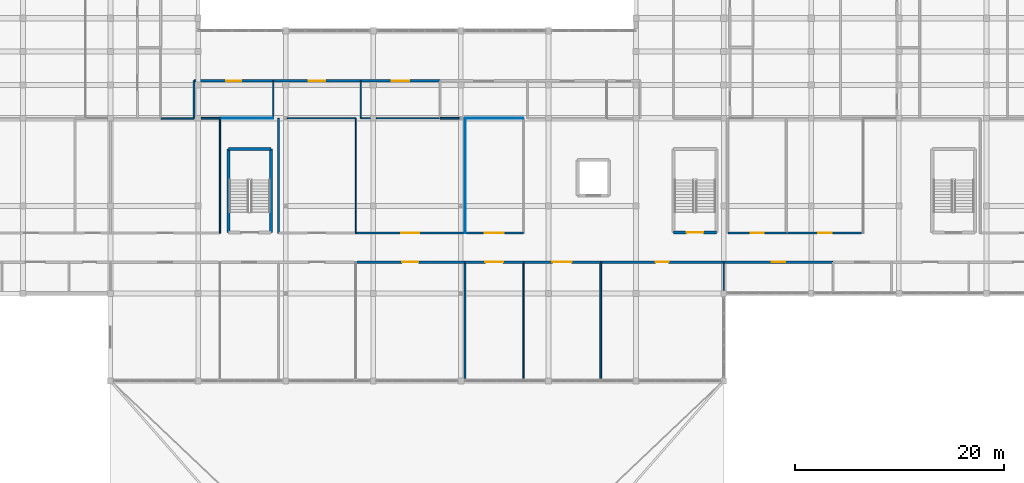
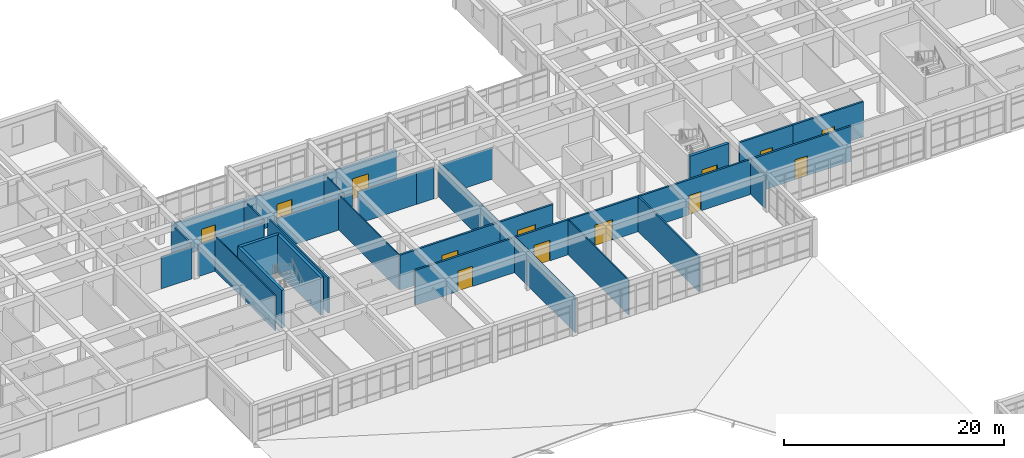
# One storey, part 51 of 77: 35 walls, 13 doors, 13 openings.
"""IFC4 building model written with IfcOpenShell, lengths in metres."""

from ifc_helpers import new_model, si_unit, direction, frame, frame_2d, origin, place, context, subcontext, project, spatial, rectangle, extrude, material, layer, layer_set, type_object, element, fill, save


model = new_model("IFC4")

# Units and contexts
model_context = context("Model", 3, precision=1e-05, world=origin(), true_north=direction((0.0, 1.0)))
body_context = subcontext(model_context, "Body", "Model", "MODEL_VIEW")
ifc_project = project(units=[si_unit("LENGTHUNIT", "METRE"), si_unit("AREAUNIT", "SQUARE_METRE"), si_unit("VOLUMEUNIT", "CUBIC_METRE"), si_unit("PLANEANGLEUNIT", "RADIAN"), si_unit("MASSUNIT", "GRAM", prefix="KILO")], contexts=[model_context])

# Site, building, storey
site_placement = place(None, origin())
site = spatial("IfcSite", under=ifc_project, at=site_placement, CompositionType="ELEMENT")
building_placement = place(site_placement, origin())
building = spatial("IfcBuilding", under=site, at=building_placement, Name="Varncliffe General Hospital", CompositionType="ELEMENT")
storey_placement = place(building_placement, frame((0.0, 0.0, 16.199951171875)))
storey = spatial("IfcBuildingStorey", under=building, at=storey_placement, Name="L03", CompositionType="ELEMENT", Elevation=16.199951171875)

# Walls
ifc_material_1 = material(Name="Acoustic clinical gypsum stud partition assembly", Category="gypsum")
ifc_layer_1 = layer(ifc_material_1, 0.1298828125)
ifc_layer_set_1 = layer_set([ifc_layer_1], Name="Acoustic clinical gypsum stud partition assembly")
wall_type_1 = type_object("IfcWallType", Name="Interior Partitioning IW11 (130mm)", PredefinedType="PARTITIONING", material=ifc_layer_set_1)
wall_1_placement = place(storey_placement, frame((84.2900390625, 99.60009765625, 0.0), z_axis=(0.0, 0.0, 1.0), x_axis=(1.0, 0.0, 0.0)))
element("IfcWall", 1, at=wall_1_placement, inside=storey, type_object=wall_type_1, Name="L03 Interior Partition Wall IW11-1423", PredefinedType="PARTITIONING", context=body_context, shape_type="SweptSolid", body=[
    extrude(rectangle(XDim=6.10986328125, YDim=0.1298828125, at=frame_2d((3.054931640625, 0.0))), origin(), (0.0, 0.0, 1.0), 3.53515625),
])
wall_2_placement = place(storey_placement, frame((82.800048828125, 99.60009765625, 0.0), z_axis=(0.0, 0.0, 1.0), x_axis=(1.0, 0.0, 0.0)))
element("IfcWall", 2, at=wall_2_placement, inside=storey, type_object=wall_type_1, Name="L03 Interior Partition Wall IW11-1424", PredefinedType="PARTITIONING", context=body_context, shape_type="SweptSolid", body=[
    extrude(rectangle(XDim=0.909912109375, YDim=0.1298828125, at=frame_2d((0.455078125, 0.0))), origin(), (0.0, 0.0, 1.0), 3.53515625),
])
for number, where, z_axis, x_axis, name in (
    (3, (74.39990234375, 99.60009765625, 0.0), (0.0, 0.0, 1.0), (0.0, 1.0, 0.0), "L03 Interior Partition Wall IW11-1578"),
    (4, (82.800048828125, 99.60009765625, 0.0), (0.0, 0.0, 1.0), (0.0, 1.0, 0.0), "L03 Interior Partition Wall IW11-1583"),
):
    element("IfcWall", number, at=place(storey_placement, frame(where, z_axis=z_axis, x_axis=x_axis)), inside=storey, type_object=wall_type_1, Name=name, PredefinedType="PARTITIONING", context=body_context, shape_type="SweptSolid", body=[
        extrude(rectangle(XDim=3.599853515625, YDim=0.1298828125, at=frame_2d((1.7998046875, 0.0))), origin(), (0.0, 0.0, 1.0), 3.89013671875),
    ])
wall_3_placement = place(storey_placement, frame((117.60009765625, 83.090087890625, 0.0), z_axis=(0.0, 0.0, 1.0), x_axis=(0.0, 1.0, 0.0)))
element("IfcWall", 5, at=wall_3_placement, inside=storey, type_object=wall_type_1, Name="L03 Interior Partition Wall IW11-1598", PredefinedType="PARTITIONING", context=body_context, shape_type="SweptSolid", body=[
    extrude(rectangle(XDim=2.7099609375, YDim=0.1298828125, at=frame_2d((1.35498046875, 0.0))), origin(), (0.0, 0.0, 1.0), 3.5849609375),
])
ifc_layer_2 = layer(ifc_material_1, 0.169921875)
ifc_layer_set_2 = layer_set([ifc_layer_2], Name="Acoustic clinical gypsum stud partition assembly")
wall_type_2 = type_object("IfcWallType", Name="Interior Partitioning IW20 (170mm)", PredefinedType="PARTITIONING", material=ifc_layer_set_2)
wall_4_placement = place(storey_placement, frame((67.489990234375, 99.60009765625, 0.0), z_axis=(0.0, 0.0, 1.0), x_axis=(1.0, 0.0, 0.0)))
element("IfcWall", 6, at=wall_4_placement, inside=storey, type_object=wall_type_2, Name="L03 Interior Partition Wall IW20-1420", PredefinedType="PARTITIONING", context=body_context, shape_type="SweptSolid", body=[
    extrude(rectangle(XDim=1.81005859375, YDim=0.169921875, at=frame_2d((0.905029296875, 0.0))), origin(), (0.0, 0.0, 1.0), 3.53515625),
])
wall_5_placement = place(storey_placement, frame((90.39990234375, 99.60009765625, 0.0), z_axis=(0.0, 0.0, 1.0), x_axis=(1.0, 0.0, 0.0)))
element("IfcWall", 7, at=wall_5_placement, inside=storey, type_object=wall_type_2, Name="L03 Interior Partition Wall IW20-1425", PredefinedType="PARTITIONING", context=body_context, shape_type="SweptSolid", body=[
    extrude(rectangle(XDim=1.83251953125, YDim=0.169921875, at=frame_2d((0.916259765625, 0.0))), origin(), (0.0, 0.0, 1.0), 3.53515625),
])
wall_6_placement = place(storey_placement, frame((66.800048828125, 99.60009765625, 0.0), z_axis=(0.0, 0.0, 1.0), x_axis=(0.0, 1.0, 0.0)))
element("IfcWall", 8, at=wall_6_placement, inside=storey, type_object=wall_type_2, Name="L03 Interior Partition Wall IW20-1575", PredefinedType="PARTITIONING", context=body_context, shape_type="SweptSolid", body=[
    extrude(rectangle(XDim=3.599853515625, YDim=0.169921875, at=frame_2d((1.7998046875, 0.0))), origin(), (0.0, 0.0, 1.0), 3.89013671875),
])
wall_7_placement = place(storey_placement, frame((74.89990234375, 88.60009765625, 0.0), z_axis=(0.0, 0.0, 1.0), x_axis=(0.0, 1.0, 0.0)))
element("IfcWall", 9, at=wall_7_placement, inside=storey, type_object=wall_type_2, Name="L03 Interior Partition Wall IW20-1580", PredefinedType="PARTITIONING", context=body_context, shape_type="SweptSolid", body=[
    extrude(rectangle(XDim=11.0, YDim=0.169921875, at=frame_2d((5.5, 0.0))), origin(), (0.0, 0.0, 1.0), 3.89013671875),
])
for number, where, z_axis, x_axis, name in (
    (10, (92.800048828125, 74.659912109375, 0.0), (0.0, 0.0, 1.0), (0.0, 1.0, 0.0), "L03 Interior Partition Wall IW20-1585"),
    (11, (105.800048828125, 74.659912109375, 0.0), (0.0, 0.0, 1.0), (0.0, 1.0, 0.0), "L03 Interior Partition Wall IW20-1590"),
):
    element("IfcWall", number, at=place(storey_placement, frame(where, z_axis=z_axis, x_axis=x_axis)), inside=storey, type_object=wall_type_2, Name=name, PredefinedType="PARTITIONING", context=body_context, shape_type="SweptSolid", body=[
        extrude(rectangle(XDim=11.14013671875, YDim=0.169921875, at=frame_2d((5.570068359375, 0.0))), origin(), (0.0, 0.0, 1.0), 3.89013671875),
    ])
ifc_layer_3 = layer(ifc_material_1, 0.14990234375)
ifc_layer_set_3 = layer_set([ifc_layer_3], Name="Acoustic clinical gypsum stud partition assembly")
wall_type_3 = type_object("IfcWallType", Name="Interior Partitioning IW35 (150mm)", PredefinedType="PARTITIONING", material=ifc_layer_set_3)
wall_8_placement = place(storey_placement, frame((63.60009765625, 99.60009765625, 0.0), z_axis=(0.0, 0.0, 1.0), x_axis=(1.0, 0.0, 0.0)))
element("IfcWall", 12, at=wall_8_placement, inside=storey, type_object=wall_type_3, Name="L03 Interior Partition Wall IW35-1419", PredefinedType="PARTITIONING", context=body_context, shape_type="SweptSolid", body=[
    extrude(rectangle(XDim=3.199951171875, YDim=0.14990234375, at=frame_2d((1.60009765625, 0.0))), origin(), (0.0, 0.0, 1.0), 3.53515625),
])
ifc_layer_4 = layer(ifc_material_1, 0.090087890625)
ifc_layer_set_4 = layer_set([ifc_layer_4], Name="Acoustic clinical gypsum stud partition assembly")
wall_type_4 = type_object("IfcWallType", Name="Interior Partitioning IW42 (90mm)", PredefinedType="PARTITIONING", material=ifc_layer_set_4)
wall_9_placement = place(storey_placement, frame((69.300048828125, 99.60009765625, 0.0), z_axis=(0.0, 0.0, 1.0), x_axis=(1.0, 0.0, 0.0)))
element("IfcWall", 13, at=wall_9_placement, inside=storey, type_object=wall_type_4, Name="L03 Interior Partition Wall IW42-1421", PredefinedType="PARTITIONING", context=body_context, shape_type="SweptSolid", body=[
    extrude(rectangle(XDim=5.099853515625, YDim=0.090087890625, at=frame_2d((2.5498046875, 0.0))), origin(), (0.0, 0.0, 1.0), 3.53515625),
])
wall_10_placement = place(storey_placement, frame((92.800048828125, 99.60009765625, 0.0), z_axis=(0.0, 0.0, 1.0), x_axis=(1.0, 0.0, 0.0)))
element("IfcWall", 14, at=wall_10_placement, inside=storey, type_object=wall_type_4, Name="L03 Interior Partition Wall IW42-1426", PredefinedType="PARTITIONING", context=body_context, shape_type="SweptSolid", body=[
    extrude(rectangle(XDim=5.599853515625, YDim=0.090087890625, at=frame_2d((2.7998046875, 0.0))), origin(), (0.0, 0.0, 1.0), 3.53515625),
])
wall_11_placement = place(storey_placement, frame((92.800048828125, 88.60009765625, 0.0), z_axis=(0.0, 0.0, 1.0), x_axis=(0.0, 1.0, 0.0)))
element("IfcWall", 15, at=wall_11_placement, inside=storey, type_object=wall_type_4, Name="L03 Interior Partition Wall IW42-1586", PredefinedType="PARTITIONING", context=body_context, shape_type="SweptSolid", body=[
    extrude(rectangle(XDim=11.0, YDim=0.090087890625, at=frame_2d((5.5, 0.0))), origin(), (0.0, 0.0, 1.0), 3.89013671875),
])
ifc_layer_5 = layer(ifc_material_1, 0.110107421875)
ifc_layer_set_5 = layer_set([ifc_layer_5], Name="Acoustic clinical gypsum stud partition assembly")
wall_type_5 = type_object("IfcWallType", Name="Interior Partitioning IW65 (110mm)", PredefinedType="PARTITIONING", material=ifc_layer_set_5)
wall_12_placement = place(storey_placement, frame((75.767578125, 99.60009765625, 0.0), z_axis=(0.0, 0.0, 1.0), x_axis=(1.0, 0.0, 0.0)))
element("IfcWall", 16, at=wall_12_placement, inside=storey, type_object=wall_type_5, Name="L03 Interior Partition Wall IW65-1422", PredefinedType="PARTITIONING", context=body_context, shape_type="SweptSolid", body=[
    extrude(rectangle(XDim=6.532470703125, YDim=0.110107421875, at=frame_2d((3.26611328125, 0.0))), origin(), (0.0, 0.0, 1.0), 3.53515625),
])
for number, where, z_axis, x_axis, name in (
    (17, (69.300048828125, 88.60009765625, 0.0), (0.0, 0.0, 1.0), (0.0, 1.0, 0.0), "L03 Interior Partition Wall IW65-1577"),
    (18, (82.300048828125, 88.60009765625, 0.0), (0.0, 0.0, 1.0), (0.0, 1.0, 0.0), "L03 Interior Partition Wall IW65-1582"),
):
    element("IfcWall", number, at=place(storey_placement, frame(where, z_axis=z_axis, x_axis=x_axis)), inside=storey, type_object=wall_type_5, Name=name, PredefinedType="PARTITIONING", context=body_context, shape_type="SweptSolid", body=[
        extrude(rectangle(XDim=11.0, YDim=0.110107421875, at=frame_2d((5.5, 0.0))), origin(), (0.0, 0.0, 1.0), 3.89013671875),
    ])
wall_13_placement = place(storey_placement, frame((98.39990234375, 74.659912109375, 0.0), z_axis=(0.0, 0.0, 1.0), x_axis=(0.0, 1.0, 0.0)))
element("IfcWall", 19, at=wall_13_placement, inside=storey, type_object=wall_type_5, Name="L03 Interior Partition Wall IW65-1587", PredefinedType="PARTITIONING", context=body_context, shape_type="SweptSolid", body=[
    extrude(rectangle(XDim=11.14013671875, YDim=0.110107421875, at=frame_2d((5.570068359375, 0.0))), origin(), (0.0, 0.0, 1.0), 3.89013671875),
])

# Wall, opening, door
ifc_material_2 = material(Name="Fire-rated gypsum and mineral-wool partition assembly", Category="gypsum")
ifc_layer_6 = layer(ifc_material_2, 0.199951171875)
ifc_layer_set_6 = layer_set([ifc_layer_6], Name="Fire-rated gypsum and mineral-wool partition assembly")
wall_type_6 = type_object("IfcWallType", Name="Interior Partitioning PW63 (200mm)", PredefinedType="PARTITIONING", material=ifc_layer_set_6)
wall_14_placement = place(storey_placement, frame((82.300048828125, 85.800048828125, 0.0), z_axis=(0.0, 0.0, 1.0), x_axis=(1.0, 0.0, 0.0)))
wall_14 = element("IfcWall", 20, at=wall_14_placement, inside=storey, type_object=wall_type_6, Name="L03 Interior Partition Wall PW63-1371", PredefinedType="PARTITIONING", context=body_context, shape_type="SweptSolid", body=[
    extrude(rectangle(XDim=10.5, YDim=0.199951171875, at=frame_2d((5.25, 0.0))), origin(), (0.0, 0.0, 1.0), 3.89013671875),
])
opening_1_placement = place(wall_14_placement, frame((4.47509765625, 0.0, 0.0)))
opening_1 = element("IfcOpeningElement", 21, at=opening_1_placement, cuts=wall_14, Name="Opening DC67", PredefinedType="OPENING", context=body_context, shape_type="SweptSolid", body=[
    extrude(rectangle(XDim=1.550048828125, YDim=2.25, at=frame_2d((0.77490234375, 1.125))), frame((0.0, 0.10986328125, 0.0), z_axis=(0.0, -1.0, 0.0), x_axis=(1.0, 0.0, 0.0)), (0.0, 0.0, 1.0), 0.219970703125),
])
ifc_material_3 = material(Name="Fire-rated hospital steel-frame vision-panel door", Category="steel")
door_type_1 = type_object("IfcDoorType", Name="Interior Hospital Door DC67 (1550x2250)", OperationType="NOTDEFINED", PredefinedType="DOOR", material=ifc_material_3)
door_1_placement = place(opening_1_placement, frame((1.550048828125, 0.0, 0.0), z_axis=(0.0, 0.0, 1.0), x_axis=(-1.0, 0.0, 0.0)))
door_1 = element("IfcDoor", 22, at=door_1_placement, inside=storey, type_object=door_type_1, Name="L03 Hybrid Interventional Operating Theatre 60 Door", OperationType="SINGLE_SWING_LEFT", OverallHeight=2.25, OverallWidth=1.550048828125, PredefinedType="DOOR", context=body_context, shape_type="SweptSolid", body=[
    extrude(rectangle(XDim=1.550048828125, YDim=2.25, at=frame_2d((0.77490234375, 1.125))), frame((0.0, 0.02490234375, 0.0), z_axis=(0.0, -1.0, 0.0), x_axis=(1.0, 0.0, 0.0)), (0.0, 0.0, 1.0), 0.050048828125),
])
fill(opening_1, door_1)

wall_15_placement = place(storey_placement, frame((92.800048828125, 85.800048828125, 0.0), z_axis=(0.0, 0.0, 1.0), x_axis=(1.0, 0.0, 0.0)))
wall_15 = element("IfcWall", 23, at=wall_15_placement, inside=storey, type_object=wall_type_6, Name="L03 Interior Partition Wall PW63-1372", PredefinedType="PARTITIONING", context=body_context, shape_type="SweptSolid", body=[
    extrude(rectangle(XDim=5.599853515625, YDim=0.199951171875, at=frame_2d((2.7998046875, 0.0))), origin(), (0.0, 0.0, 1.0), 3.89013671875),
])
opening_2_placement = place(wall_15_placement, frame((1.949951171875, 0.0, 0.0)))
opening_2 = element("IfcOpeningElement", 24, at=opening_2_placement, cuts=wall_15, Name="Opening DC50", PredefinedType="OPENING", context=body_context, shape_type="SweptSolid", body=[
    extrude(rectangle(XDim=1.699951171875, YDim=2.300048828125, at=frame_2d((0.85009765625, 1.14990234375))), frame((0.0, 0.10986328125, 0.0), z_axis=(0.0, -1.0, 0.0), x_axis=(1.0, 0.0, 0.0)), (0.0, 0.0, 1.0), 0.219970703125),
])
door_type_2 = type_object("IfcDoorType", Name="Interior Hospital Door DC50 (1700x2300)", OperationType="NOTDEFINED", PredefinedType="DOOR", material=ifc_material_3)
door_2_placement = place(opening_2_placement, frame((1.699951171875, 0.0, 0.0), z_axis=(0.0, 0.0, 1.0), x_axis=(-1.0, 0.0, 0.0)))
door_2 = element("IfcDoor", 25, at=door_2_placement, inside=storey, type_object=door_type_2, Name="L03 Surgical Scrub and Sterile Core Room 61 Door", OperationType="SINGLE_SWING_RIGHT", OverallHeight=2.300048828125, OverallWidth=1.699951171875, PredefinedType="DOOR", context=body_context, shape_type="SweptSolid", body=[
    extrude(rectangle(XDim=1.699951171875, YDim=2.300048828125, at=frame_2d((0.85009765625, 1.14990234375))), frame((0.0, 0.02490234375, 0.0), z_axis=(0.0, -1.0, 0.0), x_axis=(1.0, 0.0, 0.0)), (0.0, 0.0, 1.0), 0.050048828125),
])
fill(opening_2, door_2)

wall_16_placement = place(storey_placement, frame((98.39990234375, 85.800048828125, 0.0), z_axis=(0.0, 0.0, 1.0), x_axis=(1.0, 0.0, 0.0)))
wall_16 = element("IfcWall", 26, at=wall_16_placement, inside=storey, type_object=wall_type_6, Name="L03 Interior Partition Wall PW63-1373", PredefinedType="PARTITIONING", context=body_context, shape_type="SweptSolid", body=[
    extrude(rectangle(XDim=7.400146484375, YDim=0.199951171875, at=frame_2d((3.7001953125, 0.0))), origin(), (0.0, 0.0, 1.0), 3.89013671875),
])
opening_3_placement = place(wall_16_placement, frame((2.77490234375, 0.0, 0.0)))
opening_3 = element("IfcOpeningElement", 27, at=opening_3_placement, cuts=wall_16, Name="Opening DC38", PredefinedType="OPENING", context=body_context, shape_type="SweptSolid", body=[
    extrude(rectangle(XDim=1.85009765625, YDim=2.300048828125, at=frame_2d((0.925048828125, 1.14990234375))), frame((0.0, 0.10986328125, 0.0), z_axis=(0.0, -1.0, 0.0), x_axis=(1.0, 0.0, 0.0)), (0.0, 0.0, 1.0), 0.219970703125),
])
door_type_3 = type_object("IfcDoorType", Name="Interior Hospital Door DC38 (1850x2300)", OperationType="NOTDEFINED", PredefinedType="DOOR", material=ifc_material_3)
door_3_placement = place(opening_3_placement, frame((1.85009765625, 0.0, 0.0), z_axis=(0.0, 0.0, 1.0), x_axis=(-1.0, 0.0, 0.0)))
door_3 = element("IfcDoor", 28, at=door_3_placement, inside=storey, type_object=door_type_3, Name="L03 Endoscopy Procedure Suite 62 Door", OperationType="SINGLE_SWING_LEFT", OverallHeight=2.300048828125, OverallWidth=1.85009765625, PredefinedType="DOOR", context=body_context, shape_type="SweptSolid", body=[
    extrude(rectangle(XDim=1.85009765625, YDim=2.300048828125, at=frame_2d((0.925048828125, 1.14990234375))), frame((0.0, 0.02490234375, 0.0), z_axis=(0.0, -1.0, 0.0), x_axis=(1.0, 0.0, 0.0)), (0.0, 0.0, 1.0), 0.050048828125),
])
fill(opening_3, door_3)

wall_17_placement = place(storey_placement, frame((105.800048828125, 85.800048828125, 0.0), z_axis=(0.0, 0.0, 1.0), x_axis=(1.0, 0.0, 0.0)))
wall_17 = element("IfcWall", 29, at=wall_17_placement, inside=storey, type_object=wall_type_6, Name="L03 Interior Partition Wall PW63-1374", PredefinedType="PARTITIONING", context=body_context, shape_type="SweptSolid", body=[
    extrude(rectangle(XDim=11.800048828125, YDim=0.199951171875, at=frame_2d((5.89990234375, 0.0))), origin(), (0.0, 0.0, 1.0), 3.89013671875),
])
opening_4_placement = place(wall_17_placement, frame((5.27490234375, 0.0, 0.0)))
opening_4 = element("IfcOpeningElement", 30, at=opening_4_placement, cuts=wall_17, Name="Opening DC44", PredefinedType="OPENING", context=body_context, shape_type="SweptSolid", body=[
    extrude(rectangle(XDim=1.25, YDim=2.14990234375, at=frame_2d((0.625, 1.074951171875))), frame((0.0, 0.10986328125, 0.0), z_axis=(0.0, -1.0, 0.0), x_axis=(1.0, 0.0, 0.0)), (0.0, 0.0, 1.0), 0.219970703125),
])
door_type_4 = type_object("IfcDoorType", Name="Interior Hospital Door DC44 (1250x2150)", OperationType="NOTDEFINED", PredefinedType="DOOR", material=ifc_material_3)
door_4_placement = place(opening_4_placement, frame((1.25, 0.0, 0.0), z_axis=(0.0, 0.0, 1.0), x_axis=(-1.0, 0.0, 0.0)))
door_4 = element("IfcDoor", 31, at=door_4_placement, inside=storey, type_object=door_type_4, Name="L03 Hybrid Interventional Operating Theatre 63 Door", OperationType="SINGLE_SWING_RIGHT", OverallHeight=2.14990234375, OverallWidth=1.25, PredefinedType="DOOR", context=body_context, shape_type="SweptSolid", body=[
    extrude(rectangle(XDim=1.25, YDim=2.14990234375, at=frame_2d((0.625, 1.074951171875))), frame((0.0, 0.02490234375, 0.0), z_axis=(0.0, -1.0, 0.0), x_axis=(1.0, 0.0, 0.0)), (0.0, 0.0, 1.0), 0.050048828125),
])
fill(opening_4, door_4)

wall_18_placement = place(storey_placement, frame((117.60009765625, 85.800048828125, 0.0), z_axis=(0.0, 0.0, 1.0), x_axis=(1.0, 0.0, 0.0)))
wall_18 = element("IfcWall", 32, at=wall_18_placement, inside=storey, type_object=wall_type_6, Name="L03 Interior Partition Wall PW63-1375", PredefinedType="PARTITIONING", context=body_context, shape_type="SweptSolid", body=[
    extrude(rectangle(XDim=10.5, YDim=0.199951171875, at=frame_2d((5.25, 0.0))), origin(), (0.0, 0.0, 1.0), 3.89013671875),
])
opening_5_placement = place(wall_18_placement, frame((4.60009765625, 0.0, 0.0)))
opening_5 = element("IfcOpeningElement", 33, at=opening_5_placement, cuts=wall_18, Name="Opening DC88", PredefinedType="OPENING", context=body_context, shape_type="SweptSolid", body=[
    extrude(rectangle(XDim=1.300048828125, YDim=2.199951171875, at=frame_2d((0.64990234375, 1.10009765625))), frame((0.0, 0.10986328125, 0.0), z_axis=(0.0, -1.0, 0.0), x_axis=(1.0, 0.0, 0.0)), (0.0, 0.0, 1.0), 0.219970703125),
])
door_type_5 = type_object("IfcDoorType", Name="Interior Hospital Door DC88 (1300x2200)", OperationType="NOTDEFINED", PredefinedType="DOOR", material=ifc_material_3)
door_5_placement = place(opening_5_placement, frame((1.300048828125, 0.0, 0.0), z_axis=(0.0, 0.0, 1.0), x_axis=(-1.0, 0.0, 0.0)))
door_5 = element("IfcDoor", 34, at=door_5_placement, inside=storey, type_object=door_type_5, Name="L03 Hybrid Interventional Operating Theatre 64 Door", OperationType="SINGLE_SWING_LEFT", OverallHeight=2.199951171875, OverallWidth=1.300048828125, PredefinedType="DOOR", context=body_context, shape_type="SweptSolid", body=[
    extrude(rectangle(XDim=1.300048828125, YDim=2.199951171875, at=frame_2d((0.64990234375, 1.10009765625))), frame((0.0, 0.02490234375, 0.0), z_axis=(0.0, -1.0, 0.0), x_axis=(1.0, 0.0, 0.0)), (0.0, 0.0, 1.0), 0.050048828125),
])
fill(opening_5, door_5)

wall_19_placement = place(storey_placement, frame((82.300048828125, 88.60009765625, 0.0), z_axis=(0.0, 0.0, 1.0), x_axis=(1.0, 0.0, 0.0)))
wall_19 = element("IfcWall", 35, at=wall_19_placement, inside=storey, type_object=wall_type_6, Name="L03 Interior Partition Wall PW63-1388", PredefinedType="PARTITIONING", context=body_context, shape_type="SweptSolid", body=[
    extrude(rectangle(XDim=10.5, YDim=0.199951171875, at=frame_2d((5.25, 0.0))), origin(), (0.0, 0.0, 1.0), 3.89013671875),
])
opening_6_placement = place(wall_19_placement, frame((4.39990234375, 0.0, 0.0)))
opening_6 = element("IfcOpeningElement", 36, at=opening_6_placement, cuts=wall_19, Name="Opening DC50", PredefinedType="OPENING", context=body_context, shape_type="SweptSolid", body=[
    extrude(rectangle(XDim=1.699951171875, YDim=2.300048828125, at=frame_2d((0.85009765625, 1.14990234375))), frame((0.0, 0.10986328125, 0.0), z_axis=(0.0, -1.0, 0.0), x_axis=(1.0, 0.0, 0.0)), (0.0, 0.0, 1.0), 0.219970703125),
])
door_6_placement = place(opening_6_placement, origin())
door_6 = element("IfcDoor", 37, at=door_6_placement, inside=storey, type_object=door_type_2, Name="L03 Hybrid Interventional Operating Theatre 70 Door", OperationType="SINGLE_SWING_RIGHT", OverallHeight=2.300048828125, OverallWidth=1.699951171875, PredefinedType="DOOR", context=body_context, shape_type="SweptSolid", body=[
    extrude(rectangle(XDim=1.699951171875, YDim=2.300048828125, at=frame_2d((0.85009765625, 1.14990234375))), frame((0.0, 0.02490234375, 0.0), z_axis=(0.0, -1.0, 0.0), x_axis=(1.0, 0.0, 0.0)), (0.0, 0.0, 1.0), 0.050048828125),
])
fill(opening_6, door_6)

wall_20_placement = place(storey_placement, frame((92.800048828125, 88.60009765625, 0.0), z_axis=(0.0, 0.0, 1.0), x_axis=(1.0, 0.0, 0.0)))
wall_20 = element("IfcWall", 38, at=wall_20_placement, inside=storey, type_object=wall_type_6, Name="L03 Interior Partition Wall PW63-1389", PredefinedType="PARTITIONING", context=body_context, shape_type="SweptSolid", body=[
    extrude(rectangle(XDim=5.599853515625, YDim=0.199951171875, at=frame_2d((2.7998046875, 0.0))), origin(), (0.0, 0.0, 1.0), 3.89013671875),
])
opening_7_placement = place(wall_20_placement, frame((1.875, 0.0, 0.0)))
opening_7 = element("IfcOpeningElement", 39, at=opening_7_placement, cuts=wall_20, Name="Opening DC38", PredefinedType="OPENING", context=body_context, shape_type="SweptSolid", body=[
    extrude(rectangle(XDim=1.85009765625, YDim=2.300048828125, at=frame_2d((0.925048828125, 1.14990234375))), frame((0.0, 0.10986328125, 0.0), z_axis=(0.0, -1.0, 0.0), x_axis=(1.0, 0.0, 0.0)), (0.0, 0.0, 1.0), 0.219970703125),
])
door_7_placement = place(opening_7_placement, origin())
door_7 = element("IfcDoor", 40, at=door_7_placement, inside=storey, type_object=door_type_3, Name="L03 Surgical Scrub and Sterile Core Room 71 Door", OperationType="SINGLE_SWING_LEFT", OverallHeight=2.300048828125, OverallWidth=1.85009765625, PredefinedType="DOOR", context=body_context, shape_type="SweptSolid", body=[
    extrude(rectangle(XDim=1.85009765625, YDim=2.300048828125, at=frame_2d((0.925048828125, 1.14990234375))), frame((0.0, 0.02490234375, 0.0), z_axis=(0.0, -1.0, 0.0), x_axis=(1.0, 0.0, 0.0)), (0.0, 0.0, 1.0), 0.050048828125),
])
fill(opening_7, door_7)

wall_21_placement = place(storey_placement, frame((118.0, 88.60009765625, 0.0), z_axis=(0.0, 0.0, 1.0), x_axis=(1.0, 0.0, 0.0)))
wall_21 = element("IfcWall", 41, at=wall_21_placement, inside=storey, type_object=wall_type_6, Name="L03 Interior Partition Wall PW63-1390", PredefinedType="PARTITIONING", context=body_context, shape_type="SweptSolid", body=[
    extrude(rectangle(XDim=5.60009765625, YDim=0.199951171875, at=frame_2d((2.800048828125, 0.0))), origin(), (0.0, 0.0, 1.0), 3.89013671875),
])
opening_8_placement = place(wall_21_placement, frame((2.175048828125, 0.0, 0.0)))
opening_8 = element("IfcOpeningElement", 42, at=opening_8_placement, cuts=wall_21, Name="Opening DC44", PredefinedType="OPENING", context=body_context, shape_type="SweptSolid", body=[
    extrude(rectangle(XDim=1.25, YDim=2.14990234375, at=frame_2d((0.625, 1.074951171875))), frame((0.0, 0.10986328125, 0.0), z_axis=(0.0, -1.0, 0.0), x_axis=(1.0, 0.0, 0.0)), (0.0, 0.0, 1.0), 0.219970703125),
])
door_8_placement = place(opening_8_placement, origin())
door_8 = element("IfcDoor", 43, at=door_8_placement, inside=storey, type_object=door_type_4, Name="L03 Surgical Scrub and Sterile Core Room 72 Door", OperationType="SINGLE_SWING_RIGHT", OverallHeight=2.14990234375, OverallWidth=1.25, PredefinedType="DOOR", context=body_context, shape_type="SweptSolid", body=[
    extrude(rectangle(XDim=1.25, YDim=2.14990234375, at=frame_2d((0.625, 1.074951171875))), frame((0.0, 0.02490234375, 0.0), z_axis=(0.0, -1.0, 0.0), x_axis=(1.0, 0.0, 0.0)), (0.0, 0.0, 1.0), 0.050048828125),
])
fill(opening_8, door_8)

wall_22_placement = place(storey_placement, frame((123.60009765625, 88.60009765625, 0.0), z_axis=(0.0, 0.0, 1.0), x_axis=(1.0, 0.0, 0.0)))
wall_22 = element("IfcWall", 44, at=wall_22_placement, inside=storey, type_object=wall_type_6, Name="L03 Interior Partition Wall PW63-1391", PredefinedType="PARTITIONING", context=body_context, shape_type="SweptSolid", body=[
    extrude(rectangle(XDim=7.39990234375, YDim=0.199951171875, at=frame_2d((3.699951171875, 0.0))), origin(), (0.0, 0.0, 1.0), 3.89013671875),
])
opening_9_placement = place(wall_22_placement, frame((3.050048828125, 0.0, 0.0)))
opening_9 = element("IfcOpeningElement", 45, at=opening_9_placement, cuts=wall_22, Name="Opening DC88", PredefinedType="OPENING", context=body_context, shape_type="SweptSolid", body=[
    extrude(rectangle(XDim=1.300048828125, YDim=2.199951171875, at=frame_2d((0.64990234375, 1.10009765625))), frame((0.0, 0.10986328125, 0.0), z_axis=(0.0, -1.0, 0.0), x_axis=(1.0, 0.0, 0.0)), (0.0, 0.0, 1.0), 0.219970703125),
])
door_9_placement = place(opening_9_placement, origin())
door_9 = element("IfcDoor", 46, at=door_9_placement, inside=storey, type_object=door_type_5, Name="L03 Endoscopy Procedure Suite 73 Door", OperationType="SINGLE_SWING_LEFT", OverallHeight=2.199951171875, OverallWidth=1.300048828125, PredefinedType="DOOR", context=body_context, shape_type="SweptSolid", body=[
    extrude(rectangle(XDim=1.300048828125, YDim=2.199951171875, at=frame_2d((0.64990234375, 1.10009765625))), frame((0.0, 0.02490234375, 0.0), z_axis=(0.0, -1.0, 0.0), x_axis=(1.0, 0.0, 0.0)), (0.0, 0.0, 1.0), 0.050048828125),
])
fill(opening_9, door_9)

wall_23_placement = place(storey_placement, frame((66.800048828125, 103.199951171875, 0.0), z_axis=(0.0, 0.0, 1.0), x_axis=(1.0, 0.0, 0.0)))
wall_23 = element("IfcWall", 47, at=wall_23_placement, inside=storey, type_object=wall_type_6, Name="L03 Interior Partition Wall PW63-1446", PredefinedType="PARTITIONING", context=body_context, shape_type="SweptSolid", body=[
    extrude(rectangle(XDim=7.599853515625, YDim=0.199951171875, at=frame_2d((3.7998046875, 0.0))), origin(), (0.0, 0.0, 1.0), 3.89013671875),
])
opening_10_placement = place(wall_23_placement, frame((3.074951171875, 0.0, 0.0)))
opening_10 = element("IfcOpeningElement", 48, at=opening_10_placement, cuts=wall_23, Name="Opening DC66", PredefinedType="OPENING", context=body_context, shape_type="SweptSolid", body=[
    extrude(rectangle(XDim=1.449951171875, YDim=2.25, at=frame_2d((0.72509765625, 1.125))), frame((0.0, 0.10986328125, 0.0), z_axis=(0.0, -1.0, 0.0), x_axis=(1.0, 0.0, 0.0)), (0.0, 0.0, 1.0), 0.219970703125),
])
door_type_6 = type_object("IfcDoorType", Name="Interior Hospital Door DC66 (1450x2250)", OperationType="NOTDEFINED", PredefinedType="DOOR", material=ifc_material_3)
door_10_placement = place(opening_10_placement, frame((1.449951171875, 0.0, 0.0), z_axis=(0.0, 0.0, 1.0), x_axis=(-1.0, 0.0, 0.0)))
door_10 = element("IfcDoor", 49, at=door_10_placement, inside=storey, type_object=door_type_6, Name="L03 Orthopaedic Inpatient Ward Suite 147 Door", OperationType="SINGLE_SWING_LEFT", OverallHeight=2.25, OverallWidth=1.449951171875, PredefinedType="DOOR", context=body_context, shape_type="SweptSolid", body=[
    extrude(rectangle(XDim=1.449951171875, YDim=2.25, at=frame_2d((0.72509765625, 1.125))), frame((0.0, 0.02490234375, 0.0), z_axis=(0.0, -1.0, 0.0), x_axis=(1.0, 0.0, 0.0)), (0.0, 0.0, 1.0), 0.050048828125),
])
fill(opening_10, door_10)

wall_24_placement = place(storey_placement, frame((74.39990234375, 103.199951171875, 0.0), z_axis=(0.0, 0.0, 1.0), x_axis=(1.0, 0.0, 0.0)))
wall_24 = element("IfcWall", 50, at=wall_24_placement, inside=storey, type_object=wall_type_6, Name="L03 Interior Partition Wall PW63-1447", PredefinedType="PARTITIONING", context=body_context, shape_type="SweptSolid", body=[
    extrude(rectangle(XDim=8.400146484375, YDim=0.199951171875, at=frame_2d((4.2001953125, 0.0))), origin(), (0.0, 0.0, 1.0), 3.89013671875),
])
opening_11_placement = place(wall_24_placement, frame((3.425048828125, 0.0, 0.0)))
opening_11 = element("IfcOpeningElement", 51, at=opening_11_placement, cuts=wall_24, Name="Opening DC67", PredefinedType="OPENING", context=body_context, shape_type="SweptSolid", body=[
    extrude(rectangle(XDim=1.550048828125, YDim=2.25, at=frame_2d((0.77490234375, 1.125))), frame((0.0, 0.10986328125, 0.0), z_axis=(0.0, -1.0, 0.0), x_axis=(1.0, 0.0, 0.0)), (0.0, 0.0, 1.0), 0.219970703125),
])
door_11_placement = place(opening_11_placement, frame((1.550048828125, 0.0, 0.0), z_axis=(0.0, 0.0, 1.0), x_axis=(-1.0, 0.0, 0.0)))
door_11 = element("IfcDoor", 52, at=door_11_placement, inside=storey, type_object=door_type_1, Name="L03 Inpatient Physiotherapy Gym Bay 148 Door", OperationType="SINGLE_SWING_RIGHT", OverallHeight=2.25, OverallWidth=1.550048828125, PredefinedType="DOOR", context=body_context, shape_type="SweptSolid", body=[
    extrude(rectangle(XDim=1.550048828125, YDim=2.25, at=frame_2d((0.77490234375, 1.125))), frame((0.0, 0.02490234375, 0.0), z_axis=(0.0, -1.0, 0.0), x_axis=(1.0, 0.0, 0.0)), (0.0, 0.0, 1.0), 0.050048828125),
])
fill(opening_11, door_11)

wall_25_placement = place(storey_placement, frame((82.800048828125, 103.199951171875, 0.0), z_axis=(0.0, 0.0, 1.0), x_axis=(1.0, 0.0, 0.0)))
wall_25 = element("IfcWall", 53, at=wall_25_placement, inside=storey, type_object=wall_type_6, Name="L03 Interior Partition Wall PW63-1448", PredefinedType="PARTITIONING", context=body_context, shape_type="SweptSolid", body=[
    extrude(rectangle(XDim=7.599853515625, YDim=0.199951171875, at=frame_2d((3.7998046875, 0.0))), origin(), (0.0, 0.0, 1.0), 3.89013671875),
])
opening_12_placement = place(wall_25_placement, frame((2.949951171875, 0.0, 0.0)))
opening_12 = element("IfcOpeningElement", 54, at=opening_12_placement, cuts=wall_25, Name="Opening DC50", PredefinedType="OPENING", context=body_context, shape_type="SweptSolid", body=[
    extrude(rectangle(XDim=1.699951171875, YDim=2.300048828125, at=frame_2d((0.85009765625, 1.14990234375))), frame((0.0, 0.10986328125, 0.0), z_axis=(0.0, -1.0, 0.0), x_axis=(1.0, 0.0, 0.0)), (0.0, 0.0, 1.0), 0.219970703125),
])
door_12_placement = place(opening_12_placement, frame((1.699951171875, 0.0, 0.0), z_axis=(0.0, 0.0, 1.0), x_axis=(-1.0, 0.0, 0.0)))
door_12 = element("IfcDoor", 55, at=door_12_placement, inside=storey, type_object=door_type_2, Name="L03 Orthopaedic Inpatient Ward Suite 149 Door", OperationType="SINGLE_SWING_LEFT", OverallHeight=2.300048828125, OverallWidth=1.699951171875, PredefinedType="DOOR", context=body_context, shape_type="SweptSolid", body=[
    extrude(rectangle(XDim=1.699951171875, YDim=2.300048828125, at=frame_2d((0.85009765625, 1.14990234375))), frame((0.0, 0.02490234375, 0.0), z_axis=(0.0, -1.0, 0.0), x_axis=(1.0, 0.0, 0.0)), (0.0, 0.0, 1.0), 0.050048828125),
])
fill(opening_12, door_12)

ifc_material_4 = material(Name="Concrete C40/50 (CSA A23.1 40 MPa)", Category="concrete")
ifc_layer_7 = layer(ifc_material_4, 0.300048828125)
ifc_layer_set_7 = layer_set([ifc_layer_7], Name="Concrete C40/50 (CSA A23.1 40 MPa)")
wall_type_7 = type_object("IfcWallType", Name="Reinforced Concrete Core Shear Wall CW12 (300mm)", PredefinedType="SHEAR", material=ifc_layer_set_7)
wall_26_placement = place(storey_placement, frame((112.800048828125, 88.64990234375, 0.0), z_axis=(0.0, 0.0, 1.0), x_axis=(1.0, 0.0, 0.0)))
wall_26 = element("IfcWall", 56, at=wall_26_placement, inside=storey, type_object=wall_type_7, Name="L03 ST06 Core Shear Wall N", PredefinedType="SHEAR", context=body_context, shape_type="SweptSolid", body=[
    extrude(rectangle(XDim=4.099853515625, YDim=0.300048828125, at=frame_2d((2.0498046875, 0.0))), origin(), (0.0, 0.0, 1.0), 4.199951171875),
])
opening_13_placement = place(wall_26_placement, frame((1.25, 0.0, 0.0)))
opening_13 = element("IfcOpeningElement", 57, at=opening_13_placement, cuts=wall_26, Name="Opening DF27", PredefinedType="OPENING", context=body_context, shape_type="SweptSolid", body=[
    extrude(rectangle(XDim=1.60009765625, YDim=2.25, at=frame_2d((0.800048828125, 1.125))), frame((0.0, 0.16015625, 0.0), z_axis=(0.0, -1.0, 0.0), x_axis=(1.0, 0.0, 0.0)), (0.0, 0.0, 1.0), 0.320068359375),
])
door_type_7 = type_object("IfcDoorType", Name="Interior Hospital Door DF27 (1600x2250)", OperationType="NOTDEFINED", PredefinedType="DOOR", material=ifc_material_3)
door_13_placement = place(opening_13_placement, frame((1.60009765625, 0.0, 0.0), z_axis=(0.0, 0.0, 1.0), x_axis=(-1.0, 0.0, 0.0)))
door_13 = element("IfcDoor", 58, at=door_13_placement, inside=storey, type_object=door_type_7, Name="L03 ST06 Protected Exit Stair Door", OperationType="SINGLE_SWING_RIGHT", OverallHeight=2.25, OverallWidth=1.60009765625, PredefinedType="DOOR", context=body_context, shape_type="SweptSolid", body=[
    extrude(rectangle(XDim=1.60009765625, YDim=2.25, at=frame_2d((0.800048828125, 1.125))), frame((0.0, 0.02490234375, 0.0), z_axis=(0.0, -1.0, 0.0), x_axis=(1.0, 0.0, 0.0)), (0.0, 0.0, 1.0), 0.050048828125),
])
fill(opening_13, door_13)

# Walls
wall_27_placement = place(storey_placement, frame((74.199951171875, 88.64990234375, 0.0), z_axis=(0.0, 0.0, 1.0), x_axis=(0.0, 1.0, 0.0)))
element("IfcWall", 59, at=wall_27_placement, inside=storey, type_object=wall_type_7, Name="L03 ST12 Core Shear Wall L", PredefinedType="SHEAR", context=body_context, shape_type="SweptSolid", body=[
    extrude(rectangle(XDim=8.0, YDim=0.300048828125, at=frame_2d((4.0, 0.0))), origin(), (0.0, 0.0, 1.0), 4.199951171875),
])
wall_28_placement = place(storey_placement, frame((74.199951171875, 96.64990234375, 0.0), z_axis=(0.0, 0.0, 1.0), x_axis=(-1.0, 0.0, 0.0)))
element("IfcWall", 60, at=wall_28_placement, inside=storey, type_object=wall_type_7, Name="L03 ST12 Core Shear Wall F", PredefinedType="SHEAR", context=body_context, shape_type="SweptSolid", body=[
    extrude(rectangle(XDim=4.099853515625, YDim=0.300048828125, at=frame_2d((2.0498046875, 0.0))), origin(), (0.0, 0.0, 1.0), 4.199951171875),
])
wall_29_placement = place(storey_placement, frame((70.10009765625, 96.64990234375, 0.0), z_axis=(0.0, 0.0, 1.0), x_axis=(0.0, -1.0, 0.0)))
element("IfcWall", 61, at=wall_29_placement, inside=storey, type_object=wall_type_7, Name="L03 ST12 Core Shear Wall R", PredefinedType="SHEAR", context=body_context, shape_type="SweptSolid", body=[
    extrude(rectangle(XDim=8.0, YDim=0.300048828125, at=frame_2d((4.0, 0.0))), origin(), (0.0, 0.0, 1.0), 4.199951171875),
])

save(model, "model.ifc")
